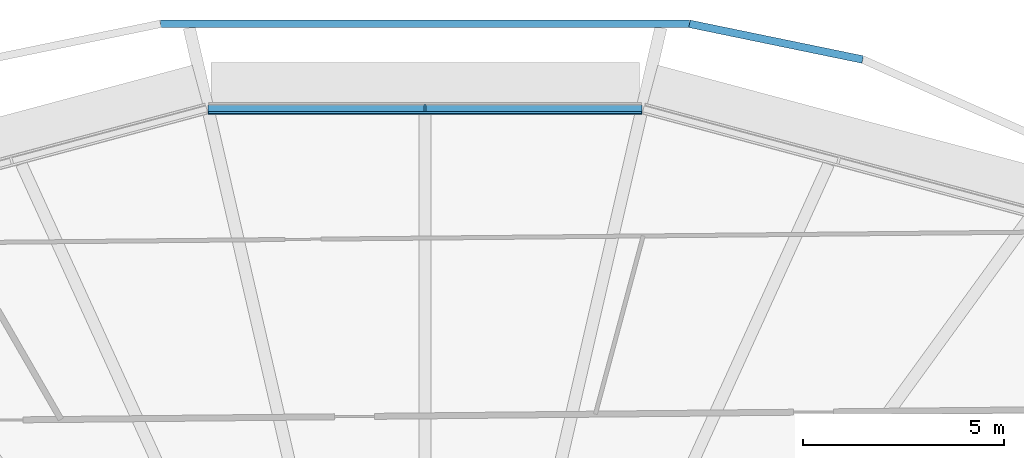
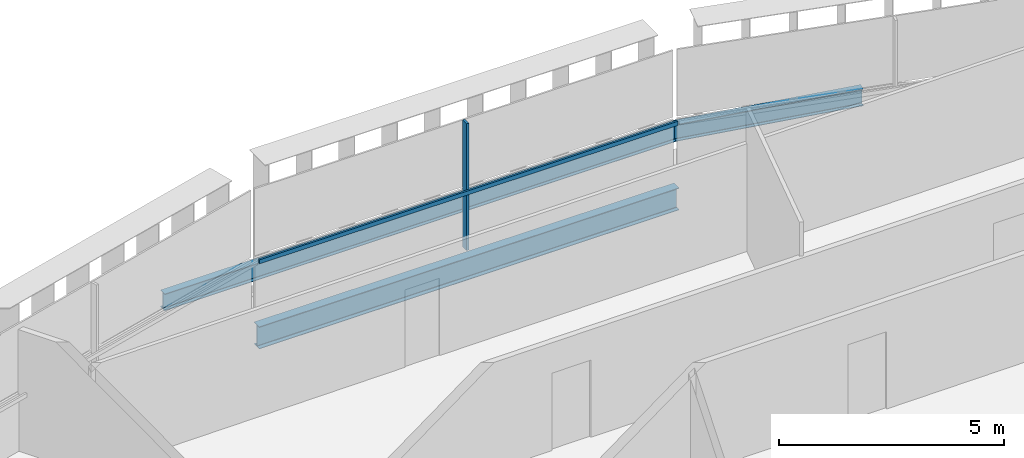
# One storey, part 8 of 23: 3 beams, 2 members, 1 element without a shape of its own.
"""IFC4 building model written with IfcOpenShell, lengths in metres."""

from ifc_helpers import new_model, si_unit, direction, frame, origin, origin_2d, place, context, subcontext, project, spatial, rectangle, i_section, extrude, material, layer, layer_set, material_profile, profile_set, type_object, element, aggregate, save


model = new_model("IFC4")

# Units and contexts
model_context = context("Model", 3, precision=1e-05, world=origin(), true_north=direction((0.0, 1.0)))
body_context = subcontext(model_context, "Body", "Model", "MODEL_VIEW")
ifc_project = project(units=[si_unit("LENGTHUNIT", "METRE"), si_unit("AREAUNIT", "SQUARE_METRE"), si_unit("VOLUMEUNIT", "CUBIC_METRE"), si_unit("PLANEANGLEUNIT", "RADIAN"), si_unit("MASSUNIT", "GRAM", prefix="KILO")], contexts=[model_context])

# Site, building, storey
site_placement = place(None, origin())
site = spatial("IfcSite", under=ifc_project, at=site_placement, CompositionType="ELEMENT")
building_placement = place(site_placement, origin())
building = spatial("IfcBuilding", under=site, at=building_placement, Name="Sahrelin Media Tower", CompositionType="ELEMENT")
storey_placement = place(building_placement, frame((0.0, 0.0, 161.60009765625)))
storey = spatial("IfcBuildingStorey", under=building, at=storey_placement, Name="L33", CompositionType="ELEMENT", Elevation=161.60009765625)

# Beam
ifc_material_1 = material(Name="Steel S355", Category="steel")
ifc_material_profile_1 = material_profile(ifc_material_1, i_section(OverallWidth=0.2275390625, OverallDepth=0.6025390625, WebThickness=0.010498046875, FlangeThickness=0.014892578125, FilletRadius=0.0126953125, at=origin_2d()), Name="UB 610x229x101")
ifc_profile_set_1 = profile_set([ifc_material_profile_1], Name="Steel S355")
beam_type_1 = type_object("IfcBeamType", Name="Edge beam EB7", PredefinedType="BEAM", material=ifc_profile_set_1)
beam_1_placement = place(storey_placement, frame((-5.393798828125, 23.38232421875, -0.451416015625), z_axis=(1.0, 0.0, 0.0), x_axis=(0.0, 1.0, 0.0)))
element("IfcBeam", 1, at=beam_1_placement, inside=storey, type_object=beam_type_1, Name="Edge beam L33-19", PredefinedType="BEAM", context=body_context, shape_type="SweptSolid", body=[
    extrude(i_section(OverallWidth=0.2275390625, OverallDepth=0.6025390625, WebThickness=0.010498046875, FlangeThickness=0.014892578125, FilletRadius=0.0126953125, at=origin_2d()), origin(), (0.0, 0.0, 1.0), 10.78759765625),
])

# Curtain wall, member
ifc_material_2 = material(Name="Champagne anodised aluminium 6063-T6", Category="aluminium")
ifc_layer = layer(ifc_material_2, 0.14990234375)
ifc_layer_set = layer_set([ifc_layer], Name="Tower ribbon curtain wall")
curtain_wall_type = type_object("IfcCurtainWallType", Name="Tower ribbon curtain wall", PredefinedType="NOTDEFINED", material=ifc_layer_set)
curtain_wall_placement = place(storey_placement, frame((0.0, 23.532470703125, 0.0), z_axis=(0.0, 0.0, 1.0), x_axis=(1.0, 0.0, 0.0)))
curtain_wall = element("IfcCurtainWall", 2, at=curtain_wall_placement, inside=storey, type_object=curtain_wall_type, Name="L33:CW:L33-06", PredefinedType="NOTDEFINED")
ifc_material_profile_2 = material_profile(ifc_material_2, rectangle(XDim=0.06005859375, YDim=0.175048828125, at=origin_2d()), Name="Mullion 60x175")
ifc_profile_set_2 = profile_set([ifc_material_profile_2], Name="Champagne anodised aluminium 6063-T6")
member_type_1 = type_object("IfcMemberType", Name="Mullion 60x175 CW1B", PredefinedType="MULLION", material=ifc_profile_set_2)
member_1_placement = place(storey_placement, frame((0.0, 23.4248046875, 0.0), z_axis=(0.0, 0.0, 1.0), x_axis=(-1.0, 0.0, 0.0)))
member_1 = element("IfcMember", 3, at=member_1_placement, type_object=member_type_1, Name="L33:CWM:L33-06", PredefinedType="MULLION", context=body_context, shape_type="SweptSolid", body=[
    extrude(rectangle(XDim=0.06005859375, YDim=0.175048828125, at=origin_2d()), origin(), (0.0, 0.0, 1.0), 3.448486328125),
])

# Beams
ifc_material_profile_3 = material_profile(ifc_material_1, i_section(OverallWidth=0.1904296875, OverallDepth=0.45703125, WebThickness=0.009033203125, FlangeThickness=0.014404296875, FilletRadius=0.01025390625, at=origin_2d()), Name="UB 457x191x74")
ifc_profile_set_3 = profile_set([ifc_material_profile_3], Name="Steel S355")
beam_type_2 = type_object("IfcBeamType", Name="Tie chord TC5", PredefinedType="BEAM", material=ifc_profile_set_3)
beam_2_placement = place(storey_placement, frame((10.8828125, 24.631591796875, -0.378662109375), z_axis=(-0.979388611009, 0.201985020796, 0.0), x_axis=(-0.201985020796, -0.979388611009, 0.0)))
element("IfcBeam", 4, at=beam_2_placement, inside=storey, type_object=beam_type_2, Name="Tie chord L33-05", PredefinedType="BEAM", context=body_context, shape_type="SweptSolid", body=[
    extrude(i_section(OverallWidth=0.1904296875, OverallDepth=0.45703125, WebThickness=0.009033203125, FlangeThickness=0.014404296875, FilletRadius=0.01025390625, at=origin_2d()), origin(), (0.0, 0.0, 1.0), 4.397216796875),
])
beam_3_placement = place(storey_placement, frame((6.576171875, 25.519775390625, -0.378662109375), z_axis=(-1.0, 0.0, 0.0), x_axis=(0.0, -1.0, 0.0)))
element("IfcBeam", 5, at=beam_3_placement, inside=storey, type_object=beam_type_2, Name="Tie chord L33-06", PredefinedType="BEAM", context=body_context, shape_type="SweptSolid", body=[
    extrude(i_section(OverallWidth=0.1904296875, OverallDepth=0.45703125, WebThickness=0.009033203125, FlangeThickness=0.014404296875, FilletRadius=0.01025390625, at=origin_2d()), origin(), (0.0, 0.0, 1.0), 13.15234375),
])

# Member
ifc_material_profile_4 = material_profile(ifc_material_2, rectangle(XDim=0.050048828125, YDim=0.110107421875, at=origin_2d()), Name="Transom 50x110")
ifc_profile_set_4 = profile_set([ifc_material_profile_4], Name="Champagne anodised aluminium 6063-T6")
member_type_2 = type_object("IfcMemberType", Name="Transom 50x110 CW1B", PredefinedType="USERDEFINED", material=ifc_profile_set_4)
member_2_placement = place(storey_placement, frame((5.378173828125, 23.3125, 1.599853515625), z_axis=(-1.0, 0.0, 0.0), x_axis=(0.0, -1.0, 0.0)))
member_2 = element("IfcMember", 6, at=member_2_placement, type_object=member_type_2, Name="L33:CWT:L33-06", ObjectType="TRANSOM", PredefinedType="USERDEFINED", context=body_context, shape_type="SweptSolid", body=[
    extrude(rectangle(XDim=0.050048828125, YDim=0.110107421875, at=origin_2d()), origin(), (0.0, 0.0, 1.0), 10.75634765625),
])

aggregate(curtain_wall, [member_1, member_2])

save(model, "model.ifc")
